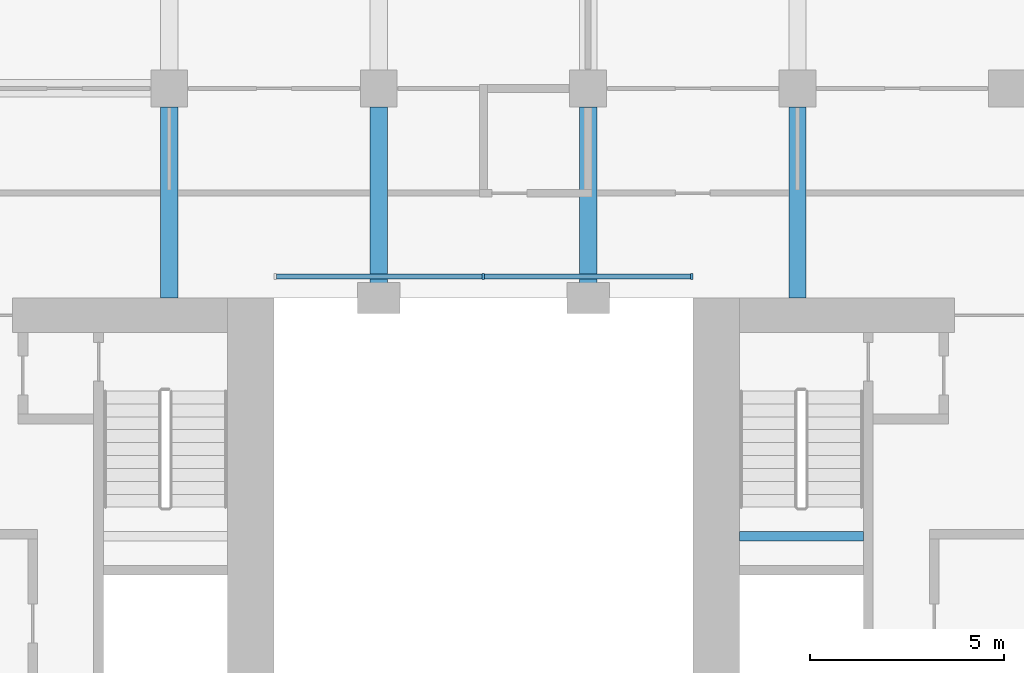
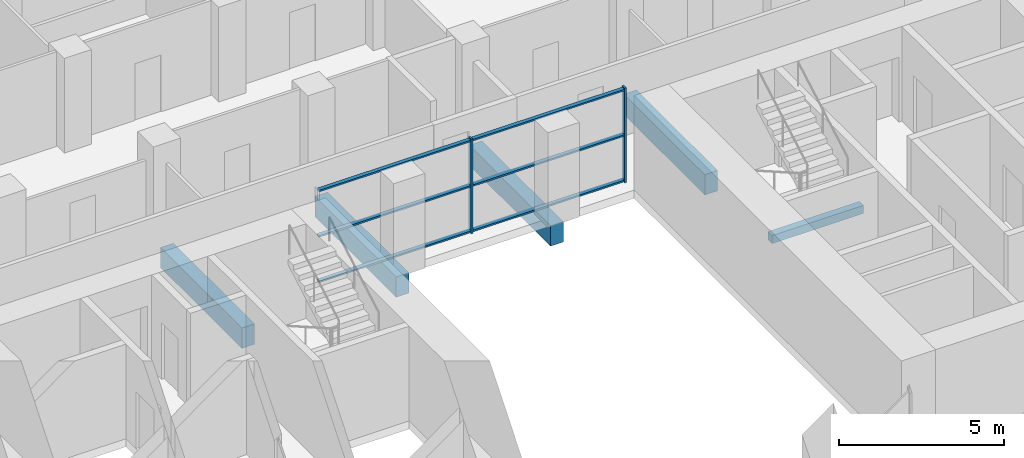
# One storey, part 4 of 13: 8 members, 5 beams, 1 element without a shape of its own.
"""IFC4 building model written with IfcOpenShell, lengths in metres."""

from ifc_helpers import new_model, si_unit, direction, frame, origin, origin_2d, place, context, subcontext, project, spatial, rectangle, extrude, material, material_profile, profile_set, type_object, element, aggregate, save


model = new_model("IFC4")

# Units and contexts
model_context = context("Model", 3, precision=1e-05, world=origin(), true_north=direction((0.0, 1.0)))
body_context = subcontext(model_context, "Body", "Model", "MODEL_VIEW")
ifc_project = project(units=[si_unit("LENGTHUNIT", "METRE"), si_unit("AREAUNIT", "SQUARE_METRE"), si_unit("VOLUMEUNIT", "CUBIC_METRE"), si_unit("PLANEANGLEUNIT", "RADIAN"), si_unit("MASSUNIT", "GRAM", prefix="KILO")], contexts=[model_context])

# Site, building, storey
site_placement = place(None, origin())
site = spatial("IfcSite", under=ifc_project, at=site_placement, CompositionType="ELEMENT")
building_placement = place(site_placement, origin())
building = spatial("IfcBuilding", under=site, at=building_placement, Name="Tabaq Tower and Sports Hall", CompositionType="ELEMENT")
storey_placement = place(building_placement, frame((0.0, 0.0, 106.800048828125)))
storey = spatial("IfcBuildingStorey", under=building, at=storey_placement, Name="L25", CompositionType="ELEMENT", Elevation=106.800048828125)

# Curtain wall, members
ifc_material_1 = material(Name="Aluminium alloy 6063-T6 framed glazing", Category="aluminium")
curtain_wall_type = type_object("IfcCurtainWallType", Name="CW1 curtain wall", PredefinedType="USERDEFINED", material=ifc_material_1)
curtain_wall_placement = place(storey_placement, origin())
curtain_wall = element("IfcCurtainWall", 1, at=curtain_wall_placement, inside=storey, type_object=curtain_wall_type, Name="Atrium glazing L25 N", ObjectType="ATRIUM ENCLOSURE", PredefinedType="USERDEFINED")
ifc_material_2 = material(Name="Aluminium alloy 6063-T6", Category="aluminium")
ifc_material_profile_1 = material_profile(ifc_material_2, rectangle(XDim=0.159912109375, YDim=0.06005859375, at=origin_2d()), Name="MULLION 160x60")
ifc_profile_set_1 = profile_set([ifc_material_profile_1], Name="Aluminium alloy 6063-T6")
member_type_1 = type_object("IfcMemberType", Name="CW1 mullion 160x60", PredefinedType="MULLION", material=ifc_profile_set_1)
member_1_placement = place(storey_placement, frame((24.300048828125, 32.949951171875, 0.0), z_axis=(0.0, 0.0, 1.0), x_axis=(0.0, 1.0, 0.0)))
member_1 = element("IfcMember", 2, at=member_1_placement, type_object=member_type_1, Name="CW1 mullion 2", PredefinedType="MULLION", context=body_context, shape_type="SweptSolid", body=[
    extrude(rectangle(XDim=0.159912109375, YDim=0.06005859375, at=origin_2d()), origin(), (0.0, 0.0, 1.0), 3.5),
])
member_2_placement = place(storey_placement, frame((29.669921875, 32.949951171875, 0.0), z_axis=(0.0, 0.0, 1.0), x_axis=(0.0, 1.0, 0.0)))
member_2 = element("IfcMember", 3, at=member_2_placement, type_object=member_type_1, Name="CW1 mullion 3", PredefinedType="MULLION", context=body_context, shape_type="SweptSolid", body=[
    extrude(rectangle(XDim=0.159912109375, YDim=0.06005859375, at=origin_2d()), origin(), (0.0, 0.0, 1.0), 3.5),
])
ifc_material_3 = material(Name="Aluminium alloy 6063-T6", Category="aluminium")
ifc_material_profile_2 = material_profile(ifc_material_3, rectangle(XDim=0.139892578125, YDim=0.06005859375, at=origin_2d()), Name="TRANSOM 140x60")
ifc_profile_set_2 = profile_set([ifc_material_profile_2], Name="Aluminium alloy 6063-T6")
member_type_2 = type_object("IfcMemberType", Name="CW1 transom 140x60", PredefinedType="USERDEFINED", material=ifc_profile_set_2)
member_3_placement = place(storey_placement, frame((18.9599609375, 32.949951171875, 0.070068359375), z_axis=(1.0, 0.0, 0.0), x_axis=(0.0, 1.0, 0.0)))
member_3 = element("IfcMember", 4, at=member_3_placement, type_object=member_type_2, Name="CW1 transom 1.1", ObjectType="TRANSOM", PredefinedType="USERDEFINED", context=body_context, shape_type="SweptSolid", body=[
    extrude(rectangle(XDim=0.139892578125, YDim=0.06005859375, at=origin_2d()), origin(), (0.0, 0.0, 1.0), 5.31005859375),
])
member_4_placement = place(storey_placement, frame((18.9599609375, 32.949951171875, 1.75), z_axis=(1.0, 0.0, 0.0), x_axis=(0.0, 1.0, 0.0)))
member_4 = element("IfcMember", 5, at=member_4_placement, type_object=member_type_2, Name="CW1 transom 1.2", ObjectType="TRANSOM", PredefinedType="USERDEFINED", context=body_context, shape_type="SweptSolid", body=[
    extrude(rectangle(XDim=0.139892578125, YDim=0.06005859375, at=origin_2d()), origin(), (0.0, 0.0, 1.0), 5.31005859375),
])
member_5_placement = place(storey_placement, frame((18.9599609375, 32.949951171875, 3.429931640625), z_axis=(1.0, 0.0, 0.0), x_axis=(0.0, 1.0, 0.0)))
member_5 = element("IfcMember", 6, at=member_5_placement, type_object=member_type_2, Name="CW1 transom 1.3", ObjectType="TRANSOM", PredefinedType="USERDEFINED", context=body_context, shape_type="SweptSolid", body=[
    extrude(rectangle(XDim=0.139892578125, YDim=0.06005859375, at=origin_2d()), origin(), (0.0, 0.0, 1.0), 5.31005859375),
])
member_6_placement = place(storey_placement, frame((24.330078125, 32.949951171875, 0.070068359375), z_axis=(1.0, 0.0, 0.0), x_axis=(0.0, 1.0, 0.0)))
member_6 = element("IfcMember", 7, at=member_6_placement, type_object=member_type_2, Name="CW1 transom 2.1", ObjectType="TRANSOM", PredefinedType="USERDEFINED", context=body_context, shape_type="SweptSolid", body=[
    extrude(rectangle(XDim=0.139892578125, YDim=0.06005859375, at=origin_2d()), origin(), (0.0, 0.0, 1.0), 5.309814453125),
])
member_7_placement = place(storey_placement, frame((24.330078125, 32.949951171875, 1.75), z_axis=(1.0, 0.0, 0.0), x_axis=(0.0, 1.0, 0.0)))
member_7 = element("IfcMember", 8, at=member_7_placement, type_object=member_type_2, Name="CW1 transom 2.2", ObjectType="TRANSOM", PredefinedType="USERDEFINED", context=body_context, shape_type="SweptSolid", body=[
    extrude(rectangle(XDim=0.139892578125, YDim=0.06005859375, at=origin_2d()), origin(), (0.0, 0.0, 1.0), 5.309814453125),
])
member_8_placement = place(storey_placement, frame((24.330078125, 32.949951171875, 3.429931640625), z_axis=(1.0, 0.0, 0.0), x_axis=(0.0, 1.0, 0.0)))
member_8 = element("IfcMember", 9, at=member_8_placement, type_object=member_type_2, Name="CW1 transom 2.3", ObjectType="TRANSOM", PredefinedType="USERDEFINED", context=body_context, shape_type="SweptSolid", body=[
    extrude(rectangle(XDim=0.139892578125, YDim=0.06005859375, at=origin_2d()), origin(), (0.0, 0.0, 1.0), 5.309814453125),
])
aggregate(curtain_wall, [member_1, member_2, member_3, member_4, member_5, member_6, member_7, member_8])

# Beams
ifc_material_4 = material(Name="Concrete C40/50", Category="concrete")
ifc_material_profile_3 = material_profile(ifc_material_4, rectangle(XDim=0.449951171875, YDim=0.75, at=origin_2d()), Name="CB 450x750")
ifc_profile_set_3 = profile_set([ifc_material_profile_3], Name="Concrete C40/50")
beam_type_1 = type_object("IfcBeamType", Name="PT CANTILEVER BEAM CB 450x750 C40/50", PredefinedType="BEAM", material=ifc_profile_set_3)
for number, where, z_axis, x_axis, name in (
    (10, (16.199951171875, 37.324951171875, -0.675048828125), (0.0, -1.0, 0.0), (1.0, 0.0, 0.0), "Cantilever Beam L25 N3 span 3"),
    (11, (21.60009765625, 37.324951171875, -0.675048828125), (0.0, -1.0, 0.0), (1.0, 0.0, 0.0), "Cantilever Beam L25 N4 span 3"),
    (12, (27.0, 37.324951171875, -0.675048828125), (0.0, -1.0, 0.0), (1.0, 0.0, 0.0), "Cantilever Beam L25 N5 span 3"),
    (13, (32.39990234375, 37.324951171875, -0.675048828125), (0.0, -1.0, 0.0), (1.0, 0.0, 0.0), "Cantilever Beam L25 N6 span 3"),
):
    element("IfcBeam", number, at=place(storey_placement, frame(where, z_axis=z_axis, x_axis=x_axis)), inside=storey, type_object=beam_type_1, Name=name, PredefinedType="BEAM", context=body_context, shape_type="SweptSolid", body=[
        extrude(rectangle(XDim=0.449951171875, YDim=0.75, at=origin_2d()), origin(), (0.0, 0.0, 1.0), 4.925048828125),
    ])
ifc_material_5 = material(Name="Concrete C40/50", Category="concrete")
ifc_material_profile_4 = material_profile(ifc_material_5, rectangle(XDim=0.25, YDim=0.300048828125, at=origin_2d()), Name="RC 250x300")
ifc_profile_set_4 = profile_set([ifc_material_profile_4], Name="Concrete C40/50")
beam_type_2 = type_object("IfcBeamType", Name="Stair landing beam 250x300", PredefinedType="BEAM", material=ifc_profile_set_4)
beam_placement = place(storey_placement, frame((30.89990234375, 26.25, 1.550048828125), z_axis=(1.0, 0.0, 0.0), x_axis=(0.0, 1.0, 0.0)))
element("IfcBeam", 14, at=beam_placement, inside=storey, type_object=beam_type_2, Name="L25 ST4 landing beam 1", PredefinedType="BEAM", context=body_context, shape_type="SweptSolid", body=[
    extrude(rectangle(XDim=0.25, YDim=0.300048828125, at=origin_2d()), origin(), (0.0, 0.0, 1.0), 3.2001953125),
])

save(model, "model.ifc")
